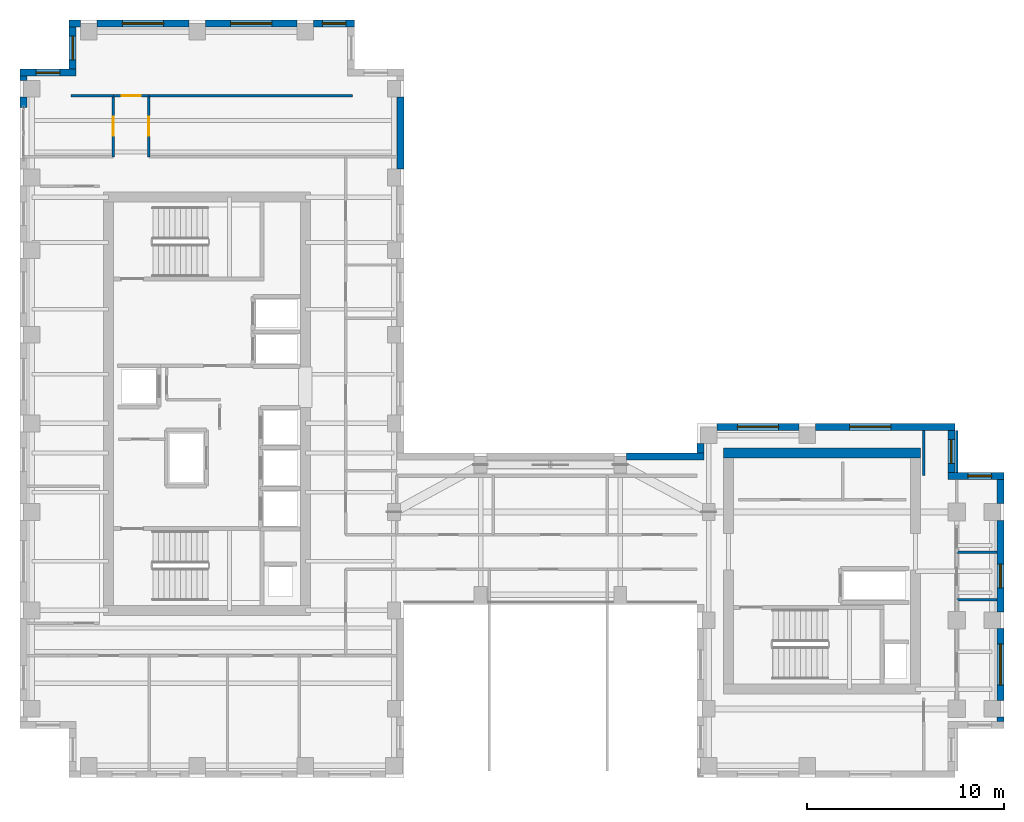
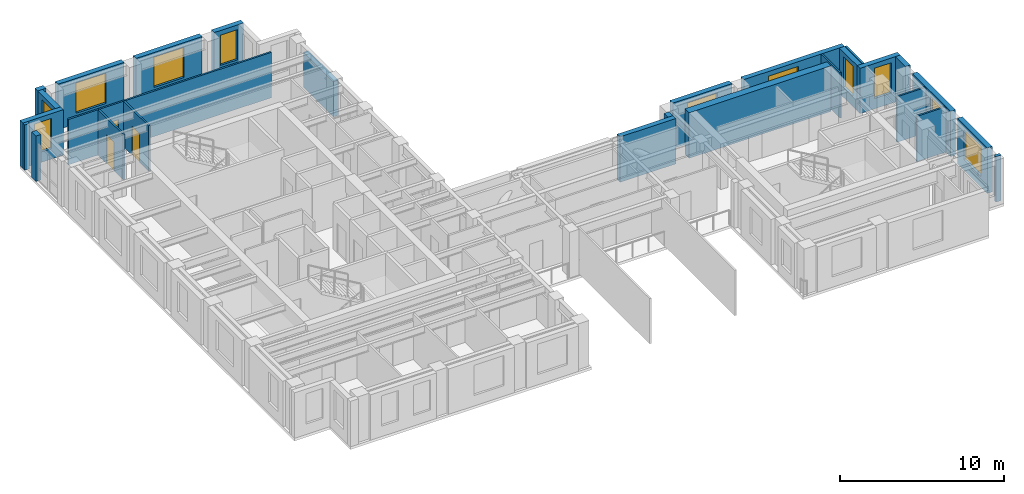
# One storey, part 10 of 14: 29 walls, 11 windows, 3 doors, 14 openings.
"""IFC4 building model written with IfcOpenShell, lengths in metres."""

import ifcopenshell
import ifcopenshell.guid

model = None  # the IFC model being written
_history = None  # IfcOwnerHistory: only IFC2X3 demands one
_inside = {}  # id of a spatial element -> (the spatial element, [elements in it])
_under = {}  # id of a project, library or spatial element -> (it, [spatial elements below it])
_declared = {}  # id of a project -> (the project, [libraries it declares])
_typed = {}  # id of a type object -> (the type object, [elements of that type])
_made_of = {}  # id of a material, layer set ... -> (it, [elements and type objects made of it])


def new_model(schema):
    """Start an empty IFC model of exactly this schema.

    Asked for "IFC4X3", IfcOpenShell would pick the latest addendum, in which some entities
    have other attributes; the version numbers below select the first issue.
    IFC2X3 requires an IfcOwnerHistory on every rooted entity: one is made here for all.
    """
    global model, _history
    if schema == "IFC4X3":
        model = ifcopenshell.file(schema_version=(4, 3, 0, 0))
    else:
        model = ifcopenshell.file(schema=schema)
    _inside.clear()
    _under.clear()
    _declared.clear()
    _typed.clear()
    _made_of.clear()
    _history = None
    if model.schema == "IFC2X3":
        org = make("IfcOrganization", Name="unknown")
        user = make(
            "IfcPersonAndOrganization",
            ThePerson=make("IfcPerson", FamilyName="unknown"),
            TheOrganization=org,
        )
        app = make(
            "IfcApplication",
            ApplicationDeveloper=org,
            Version="unknown",
            ApplicationFullName="unknown",
            ApplicationIdentifier="unknown",
        )
        _history = make(
            "IfcOwnerHistory",
            OwningUser=user,
            OwningApplication=app,
            ChangeAction="ADDED",
            CreationDate=0,
        )
    return model


def make(cls, **values):
    """One entity of the class cls with the attributes given. An attribute that is None is left unset."""
    return model.create_entity(
        cls, **{name: value for name, value in values.items() if value is not None}
    )


def rooted(cls, **values):
    """An entity with a GlobalId (a new one), such as an element, a storey or a relation."""
    return make(cls, GlobalId=ifcopenshell.guid.new(), OwnerHistory=_history, **values)


def si_unit(unit_type, name, prefix=None):
    """IfcSIUnit, for example si_unit("LENGTHUNIT", "METRE", prefix="MILLI")."""
    return make("IfcSIUnit", UnitType=unit_type, Prefix=prefix, Name=name)


def assignment(units):
    """IfcUnitAssignment: the units of a project."""
    return None if units is None else make("IfcUnitAssignment", Units=units)


def point(xyz):
    """IfcCartesianPoint."""
    return None if xyz is None else make("IfcCartesianPoint", Coordinates=xyz)


def direction(xyz):
    """IfcDirection."""
    return None if xyz is None else make("IfcDirection", DirectionRatios=xyz)


def frame(location, z_axis=None, x_axis=None):
    """IfcAxis2Placement3D, a coordinate frame: its origin and axes. An axis left out is left unset."""
    return make(
        "IfcAxis2Placement3D",
        Location=point(location),
        Axis=direction(z_axis),
        RefDirection=direction(x_axis),
    )


def frame_2d(location, x_axis=None):
    """IfcAxis2Placement2D, a coordinate frame in the plane: its origin and x axis."""
    return make(
        "IfcAxis2Placement2D", Location=point(location), RefDirection=direction(x_axis)
    )


def origin():
    """The frame at (0, 0, 0) with its axes left unset."""
    return frame((0.0, 0.0, 0.0))


def place(relative_to, where):
    """IfcLocalPlacement: puts the frame where relative to a parent placement (None: the world)."""
    return make(
        "IfcLocalPlacement", PlacementRelTo=relative_to, RelativePlacement=where
    )


def context(
    kind, dimensions, precision=None, world=None, true_north=None, identifier=None
):
    """IfcGeometricRepresentationContext, for example the 3D "Model" context."""
    return make(
        "IfcGeometricRepresentationContext",
        ContextIdentifier=identifier,
        ContextType=kind,
        CoordinateSpaceDimension=dimensions,
        Precision=precision,
        WorldCoordinateSystem=world,
        TrueNorth=true_north,
    )


def subcontext(parent, identifier, kind, view, scale=None):
    """IfcGeometricRepresentationSubContext, for example "Body" below "Model"."""
    return make(
        "IfcGeometricRepresentationSubContext",
        ContextIdentifier=identifier,
        ContextType=kind,
        ParentContext=parent,
        TargetScale=scale,
        TargetView=view,
    )


def project(units=None, contexts=None):
    """IfcProject with its units and contexts."""
    return rooted(
        "IfcProject",
        Name="project",
        RepresentationContexts=contexts,
        UnitsInContext=assignment(units),
    )


def spatial(cls, under=None, at=None, **own):
    """A site, building, storey or space (cls), placed at a placement, below another one or the project."""
    s = rooted(cls, ObjectPlacement=at, **own)
    if under is not None:
        _under.setdefault(under.id(), (under, []))[1].append(s)
    return s


def profile(cls, at=None, kind="AREA", **sizes):
    """A parametric profile (cls). Its sizes go by their IFC names, for example OverallWidth=200.0."""
    return make(cls, ProfileType=kind, Position=at, **sizes)


def rectangle(**sizes):
    """IfcRectangleProfileDef."""
    return profile("IfcRectangleProfileDef", **sizes)


def extrude(swept, where, along, depth):
    """IfcExtrudedAreaSolid: the profile swept, set in the frame where, extruded along a direction by depth."""
    return make(
        "IfcExtrudedAreaSolid",
        SweptArea=swept,
        Position=where,
        ExtrudedDirection=direction(along),
        Depth=depth,
    )


def shape(context_of_items, identifier, shape_type, items):
    """IfcShapeRepresentation: the items that make up one representation, for example the "Body"."""
    return make(
        "IfcShapeRepresentation",
        ContextOfItems=context_of_items,
        RepresentationIdentifier=identifier,
        RepresentationType=shape_type,
        Items=items,
    )


def source(mapping_origin, context_of_items, identifier, shape_type, items):
    """IfcRepresentationMap: a shape defined once, which mapped items show again and again."""
    return make(
        "IfcRepresentationMap",
        MappingOrigin=mapping_origin,
        MappedRepresentation=shape(context_of_items, identifier, shape_type, items),
    )


def transform(
    local_origin,
    x_axis=None,
    y_axis=None,
    z_axis=None,
    scale=None,
    scale2=None,
    scale3=None,
    uniform=True,
):
    """IfcCartesianTransformationOperator3D, or its non-uniform kind. x_axis, y_axis, z_axis: its Axis1, 2, 3."""
    if uniform:
        return make(
            "IfcCartesianTransformationOperator3D",
            Axis1=direction(x_axis),
            Axis2=direction(y_axis),
            LocalOrigin=point(local_origin),
            Scale=scale,
            Axis3=direction(z_axis),
        )
    return make(
        "IfcCartesianTransformationOperator3DnonUniform",
        Axis1=direction(x_axis),
        Axis2=direction(y_axis),
        LocalOrigin=point(local_origin),
        Scale=scale,
        Axis3=direction(z_axis),
        Scale2=scale2,
        Scale3=scale3,
    )


def mapped(mapping_source, mapping_target):
    """IfcMappedItem: shows the shape of a source again, moved by a transform."""
    return make(
        "IfcMappedItem", MappingSource=mapping_source, MappingTarget=mapping_target
    )


def material(Name=None, Category=None):
    """IfcMaterial."""
    return make("IfcMaterial", Name=Name, Category=Category)


def layer(
    of_material, thickness, ventilated=None, Name=None, Category=None, Priority=None
):
    """IfcMaterialLayer: one layer of a wall or slab, of a material (None: an air gap)."""
    return make(
        "IfcMaterialLayer",
        Material=of_material,
        LayerThickness=thickness,
        IsVentilated=ventilated,
        Name=Name,
        Category=Category,
        Priority=Priority,
    )


def layer_set(layers, Name=None):
    """IfcMaterialLayerSet."""
    return make("IfcMaterialLayerSet", MaterialLayers=layers, LayerSetName=Name)


def made_of(thing, what):
    """Note that an element or type object is made of a material, layer set ...; save() writes the relation."""
    if what is not None:
        _made_of.setdefault(what.id(), (what, []))[1].append(thing)
    return thing


def type_object(cls, material=None, **own):
    """A type object (cls), such as IfcWallType, which elements share."""
    return made_of(rooted(cls, **own), material)


def element(
    cls,
    number,
    at=None,
    inside=None,
    cuts=None,
    type_object=None,
    material=None,
    context=None,
    identifier="Body",
    shape_type=None,
    held_by="IfcProductDefinitionShape",
    body=None,
    shapes=None,
    **own,
):
    """One element of the class cls, such as IfcWall. Its Tag is "e" and its number.

    at: its placement. inside: the storey or other place that contains it. cuts: it is an
    opening in that element (IfcRelVoidsElement). A single representation is given by context,
    identifier, shape_type and body (its items); several are given by shapes. held_by: the class
    of the entity that holds the representations. save() writes the other relations.
    """
    e = rooted(cls, Tag="e%d" % number, ObjectPlacement=at, **own)
    if body is not None:
        shapes = [shape(context, identifier, shape_type, body)]
    if shapes is not None:
        e.Representation = make(held_by, Representations=shapes)
    if inside is not None:
        _inside.setdefault(inside.id(), (inside, []))[1].append(e)
    if cuts is not None:
        rooted(
            "IfcRelVoidsElement", RelatingBuildingElement=cuts, RelatedOpeningElement=e
        )
    if type_object is not None:
        _typed.setdefault(type_object.id(), (type_object, []))[1].append(e)
    return made_of(e, material)


def fill(opening, filler):
    """IfcRelFillsElement: the door or window that sits in an opening."""
    return rooted(
        "IfcRelFillsElement",
        RelatingOpeningElement=opening,
        RelatedBuildingElement=filler,
    )


def aggregate(whole, parts):
    """IfcRelAggregates: a whole, such as a stair, and the parts it consists of."""
    return rooted("IfcRelAggregates", RelatingObject=whole, RelatedObjects=parts)


def save(model, path):
    """Write the relations noted so far, then the file.

    IfcRelAggregates (storeys below a building ...), IfcRelContainedInSpatialStructure (elements
    in a storey), IfcRelDefinesByType, IfcRelAssociatesMaterial and IfcRelDeclares: one each for
    every whole, place, type object, material and project.
    """
    for whole, parts in _under.values():
        aggregate(whole, parts)
    for where, things in _inside.values():
        rooted(
            "IfcRelContainedInSpatialStructure",
            RelatedElements=things,
            RelatingStructure=where,
        )
    for kind, things in _typed.values():
        rooted("IfcRelDefinesByType", RelatedObjects=things, RelatingType=kind)
    for what, things in _made_of.values():
        rooted("IfcRelAssociatesMaterial", RelatedObjects=things, RelatingMaterial=what)
    for by, libraries in _declared.values():
        rooted("IfcRelDeclares", RelatingContext=by, RelatedDefinitions=libraries)
    model.write(path)


model = new_model("IFC4")

# Units and contexts
model_context = context("Model", 3, precision=1e-05, world=origin(), true_north=direction((0.0, 1.0)))
body_context = subcontext(model_context, "Body", "Model", "MODEL_VIEW")
ifc_project = project(units=[si_unit("LENGTHUNIT", "METRE"), si_unit("AREAUNIT", "SQUARE_METRE"), si_unit("VOLUMEUNIT", "CUBIC_METRE"), si_unit("PLANEANGLEUNIT", "RADIAN"), si_unit("MASSUNIT", "GRAM", prefix="KILO")], contexts=[model_context])

# Site, building, storey
site_placement = place(None, origin())
site = spatial("IfcSite", under=ifc_project, at=site_placement, CompositionType="ELEMENT")
building_placement = place(site_placement, origin())
building = spatial("IfcBuilding", under=site, at=building_placement, Name="Kharzan Plaza Tower", CompositionType="ELEMENT")
storey_placement = place(building_placement, frame((0.0, 0.0, 241.199951171875)))
storey = spatial("IfcBuildingStorey", under=building, at=storey_placement, Name="L65", CompositionType="ELEMENT", Elevation=241.199951171875)

# Wall, opening, window
ifc_material_1 = material(Name="Concrete C40/50", Category="concrete")
ifc_layer_1 = layer(ifc_material_1, 0.35009765625)
ifc_layer_set_1 = layer_set([ifc_layer_1], Name="Concrete C40/50")
wall_type_1 = type_object("IfcWallType", Name="WL-EXT-MAS-Z4", PredefinedType="SOLIDWALL", material=ifc_layer_set_1)
wall_1_placement = place(storey_placement, frame((17.0, 38.324951171875, 0.0), z_axis=(0.0, 0.0, 1.0), x_axis=(-1.0, 0.0, 0.0)))
wall_1 = element("IfcWall", 1, at=wall_1_placement, inside=storey, type_object=wall_type_1, Name="L65 Masonry-Frame Exterior Wall 09", PredefinedType="SOLIDWALL", context=body_context, shape_type="SweptSolid", body=[
    extrude(rectangle(XDim=2.076904296875, YDim=0.35009765625, at=frame_2d((1.03857421875, 0.0))), origin(), (0.0, 0.0, 1.0), 3.385009765625),
])
opening_1_placement = place(wall_1_placement, frame((0.4384765625, 0.0, 0.780029296875)))
opening_1 = element("IfcOpeningElement", 2, at=opening_1_placement, cuts=wall_1, Name="Opening W3", PredefinedType="OPENING", context=body_context, shape_type="SweptSolid", body=[
    extrude(rectangle(XDim=1.199951171875, YDim=2.25, at=frame_2d((0.60009765625, 1.125))), frame((0.0, 0.18505859375, 0.0), z_axis=(0.0, -1.0, 0.0), x_axis=(1.0, 0.0, 0.0)), (0.0, 0.0, 1.0), 0.3701171875),
])
ifc_material_2 = material(Name="Low-E Double Glazing", Category="glass")
window_type_1 = type_object("IfcWindowType", Name="WN-REC-1200x2100", PartitioningType="SINGLE_PANEL", PredefinedType="WINDOW", material=ifc_material_2)
shared_shape_1 = source(origin(), body_context, "Body", "SweptSolid", [
    extrude(rectangle(XDim=1.199951171875, YDim=2.25, at=frame_2d((0.60009765625, 1.125))), frame((0.0, 0.030029296875, 0.0), z_axis=(0.0, -1.0, 0.0), x_axis=(1.0, 0.0, 0.0)), (0.0, 0.0, 1.0), 0.06005859375),
])
window_1_placement = place(opening_1_placement, origin())
window_1 = element("IfcWindow", 3, at=window_1_placement, inside=storey, type_object=window_type_1, Name="L65 Recessed Solar-Control Window 09-1", OverallHeight=2.25, OverallWidth=1.199951171875, PartitioningType="SINGLE_PANEL", PredefinedType="WINDOW", context=body_context, shape_type="MappedRepresentation", body=[
    mapped(shared_shape_1, transform((0.0, 0.0, 0.0), x_axis=(1.0, 0.0, 0.0), y_axis=(0.0, 1.0, 0.0), z_axis=(0.0, 0.0, 1.0))),
])
fill(opening_1, window_1)

wall_2_placement = place(storey_placement, frame((14.076904296875, 38.324951171875, 0.0), z_axis=(0.0, 0.0, 1.0), x_axis=(-1.0, 0.0, 0.0)))
wall_2 = element("IfcWall", 4, at=wall_2_placement, inside=storey, type_object=wall_type_1, Name="L65 Masonry-Frame Exterior Wall 10", PredefinedType="SOLIDWALL", context=body_context, shape_type="SweptSolid", body=[
    extrude(rectangle(XDim=4.65380859375, YDim=0.35009765625, at=frame_2d((2.326904296875, 0.0))), origin(), (0.0, 0.0, 1.0), 3.385009765625),
])
opening_2_placement = place(wall_2_placement, frame((1.277099609375, 0.0, 0.780029296875)))
opening_2 = element("IfcOpeningElement", 5, at=opening_2_placement, cuts=wall_2, Name="Opening W6", PredefinedType="OPENING", context=body_context, shape_type="SweptSolid", body=[
    extrude(rectangle(XDim=2.10009765625, YDim=2.25, at=frame_2d((1.050048828125, 1.125))), frame((0.0, 0.18505859375, 0.0), z_axis=(0.0, -1.0, 0.0), x_axis=(1.0, 0.0, 0.0)), (0.0, 0.0, 1.0), 0.3701171875),
])
window_type_2 = type_object("IfcWindowType", Name="WN-EXEC-2100x2250", PartitioningType="SINGLE_PANEL", PredefinedType="WINDOW", material=ifc_material_2)
shared_shape_2 = source(origin(), body_context, "Body", "SweptSolid", [
    extrude(rectangle(XDim=2.10009765625, YDim=2.25, at=frame_2d((1.050048828125, 1.125))), frame((0.0, 0.030029296875, 0.0), z_axis=(0.0, -1.0, 0.0), x_axis=(1.0, 0.0, 0.0)), (0.0, 0.0, 1.0), 0.06005859375),
])
window_2_placement = place(opening_2_placement, origin())
window_2 = element("IfcWindow", 6, at=window_2_placement, inside=storey, type_object=window_type_2, Name="L65 Recessed Solar-Control Window 10-1", OverallHeight=2.25, OverallWidth=2.10009765625, PartitioningType="SINGLE_PANEL", PredefinedType="WINDOW", context=body_context, shape_type="MappedRepresentation", body=[
    mapped(shared_shape_2, transform((0.0, 0.0, 0.0), x_axis=(1.0, 0.0, 0.0), y_axis=(0.0, 1.0, 0.0), z_axis=(0.0, 0.0, 1.0))),
])
fill(opening_2, window_2)

wall_3_placement = place(storey_placement, frame((8.576904296875, 38.324951171875, 0.0), z_axis=(0.0, 0.0, 1.0), x_axis=(-1.0, 0.0, 0.0)))
wall_3 = element("IfcWall", 7, at=wall_3_placement, inside=storey, type_object=wall_type_1, Name="L65 Masonry-Frame Exterior Wall 11", PredefinedType="SOLIDWALL", context=body_context, shape_type="SweptSolid", body=[
    extrude(rectangle(XDim=4.65380859375, YDim=0.35009765625, at=frame_2d((2.326904296875, 0.0))), origin(), (0.0, 0.0, 1.0), 3.385009765625),
])
opening_3_placement = place(wall_3_placement, frame((1.277099609375, 0.0, 0.780029296875)))
opening_3 = element("IfcOpeningElement", 8, at=opening_3_placement, cuts=wall_3, Name="Opening W6", PredefinedType="OPENING", context=body_context, shape_type="SweptSolid", body=[
    extrude(rectangle(XDim=2.10009765625, YDim=2.25, at=frame_2d((1.050048828125, 1.125))), frame((0.0, 0.18505859375, 0.0), z_axis=(0.0, -1.0, 0.0), x_axis=(1.0, 0.0, 0.0)), (0.0, 0.0, 1.0), 0.3701171875),
])
window_3_placement = place(opening_3_placement, origin())
window_3 = element("IfcWindow", 9, at=window_3_placement, inside=storey, type_object=window_type_2, Name="L65 Recessed Solar-Control Window 11-1", OverallHeight=2.25, OverallWidth=2.10009765625, PartitioningType="SINGLE_PANEL", PredefinedType="WINDOW", context=body_context, shape_type="MappedRepresentation", body=[
    mapped(shared_shape_2, transform((0.0, 0.0, 0.0), x_axis=(1.0, 0.0, 0.0), y_axis=(0.0, 1.0, 0.0), z_axis=(0.0, 0.0, 1.0))),
])
fill(opening_3, window_3)

wall_4_placement = place(storey_placement, frame((2.675048828125, 38.152099609375, 0.0), z_axis=(0.0, 0.0, 1.0), x_axis=(0.0, -1.0, 0.0)))
wall_4 = element("IfcWall", 10, at=wall_4_placement, inside=storey, type_object=wall_type_1, Name="L65 Masonry-Frame Exterior Wall 13", PredefinedType="SOLIDWALL", context=body_context, shape_type="SweptSolid", body=[
    extrude(rectangle(XDim=2.154052734375, YDim=0.35009765625, at=frame_2d((1.0771484375, 0.0))), origin(), (0.0, 0.0, 1.0), 3.385009765625),
])
opening_4_placement = place(wall_4_placement, frame((0.47705078125, 0.0, 0.780029296875)))
opening_4 = element("IfcOpeningElement", 11, at=opening_4_placement, cuts=wall_4, Name="Opening W3", PredefinedType="OPENING", context=body_context, shape_type="SweptSolid", body=[
    extrude(rectangle(XDim=1.199951171875, YDim=2.25, at=frame_2d((0.60009765625, 1.125))), frame((0.0, 0.18505859375, 0.0), z_axis=(0.0, -1.0, 0.0), x_axis=(1.0, 0.0, 0.0)), (0.0, 0.0, 1.0), 0.3701171875),
])
window_4_placement = place(opening_4_placement, origin())
window_4 = element("IfcWindow", 12, at=window_4_placement, inside=storey, type_object=window_type_1, Name="L65 Recessed Solar-Control Window 13-1", OverallHeight=2.25, OverallWidth=1.199951171875, PartitioningType="SINGLE_PANEL", PredefinedType="WINDOW", context=body_context, shape_type="MappedRepresentation", body=[
    mapped(shared_shape_1, transform((0.0, 0.0, 0.0), x_axis=(1.0, 0.0, 0.0), y_axis=(0.0, 1.0, 0.0), z_axis=(0.0, 0.0, 1.0))),
])
fill(opening_4, window_4)

wall_5_placement = place(storey_placement, frame((2.85009765625, 35.824951171875, 0.0), z_axis=(0.0, 0.0, 1.0), x_axis=(-1.0, 0.0, 0.0)))
wall_5 = element("IfcWall", 13, at=wall_5_placement, inside=storey, type_object=wall_type_1, Name="L65 Masonry-Frame Exterior Wall 14", PredefinedType="SOLIDWALL", context=body_context, shape_type="SweptSolid", body=[
    extrude(rectangle(XDim=2.85009765625, YDim=0.35009765625, at=frame_2d((1.425048828125, 0.0))), origin(), (0.0, 0.0, 1.0), 3.385009765625),
])
opening_5_placement = place(wall_5_placement, frame((0.824951171875, 0.0, 0.780029296875)))
opening_5 = element("IfcOpeningElement", 14, at=opening_5_placement, cuts=wall_5, Name="Opening W3", PredefinedType="OPENING", context=body_context, shape_type="SweptSolid", body=[
    extrude(rectangle(XDim=1.199951171875, YDim=2.25, at=frame_2d((0.60009765625, 1.125))), frame((0.0, 0.18505859375, 0.0), z_axis=(0.0, -1.0, 0.0), x_axis=(1.0, 0.0, 0.0)), (0.0, 0.0, 1.0), 0.3701171875),
])
window_5_placement = place(opening_5_placement, origin())
window_5 = element("IfcWindow", 15, at=window_5_placement, inside=storey, type_object=window_type_1, Name="L65 Recessed Solar-Control Window 14-1", OverallHeight=2.25, OverallWidth=1.199951171875, PartitioningType="SINGLE_PANEL", PredefinedType="WINDOW", context=body_context, shape_type="MappedRepresentation", body=[
    mapped(shared_shape_1, transform((0.0, 0.0, 0.0), x_axis=(1.0, 0.0, 0.0), y_axis=(0.0, 1.0, 0.0), z_axis=(0.0, 0.0, 1.0))),
])
fill(opening_5, window_5)

wall_6_placement = place(storey_placement, frame((49.824951171875, 3.923095703125, 0.0), z_axis=(0.0, 0.0, 1.0), x_axis=(0.0, 1.0, 0.0)))
wall_6 = element("IfcWall", 16, at=wall_6_placement, inside=storey, type_object=wall_type_1, Name="L65 Masonry-Frame Exterior Wall 41", PredefinedType="SOLIDWALL", context=body_context, shape_type="SweptSolid", body=[
    extrude(rectangle(XDim=3.65380859375, YDim=0.35009765625, at=frame_2d((1.826904296875, 0.0))), origin(), (0.0, 0.0, 1.0), 3.385009765625),
])
opening_6_placement = place(wall_6_placement, frame((0.777099609375, 0.0, 0.780029296875)))
opening_6 = element("IfcOpeningElement", 17, at=opening_6_placement, cuts=wall_6, Name="Opening W6", PredefinedType="OPENING", context=body_context, shape_type="SweptSolid", body=[
    extrude(rectangle(XDim=2.10009765625, YDim=2.25, at=frame_2d((1.050048828125, 1.125))), frame((0.0, 0.18505859375, 0.0), z_axis=(0.0, -1.0, 0.0), x_axis=(1.0, 0.0, 0.0)), (0.0, 0.0, 1.0), 0.3701171875),
])
window_6_placement = place(opening_6_placement, origin())
window_6 = element("IfcWindow", 18, at=window_6_placement, inside=storey, type_object=window_type_2, Name="L65 Recessed Solar-Control Window 41-1", OverallHeight=2.25, OverallWidth=2.10009765625, PartitioningType="SINGLE_PANEL", PredefinedType="WINDOW", context=body_context, shape_type="MappedRepresentation", body=[
    mapped(shared_shape_2, transform((0.0, 0.0, 0.0), x_axis=(1.0, 0.0, 0.0), y_axis=(0.0, 1.0, 0.0), z_axis=(0.0, 0.0, 1.0))),
])
fill(opening_6, window_6)

wall_7_placement = place(storey_placement, frame((49.824951171875, 8.423095703125, 0.0), z_axis=(0.0, 0.0, 1.0), x_axis=(0.0, 1.0, 0.0)))
wall_7 = element("IfcWall", 19, at=wall_7_placement, inside=storey, type_object=wall_type_1, Name="L65 Masonry-Frame Exterior Wall 42", PredefinedType="SOLIDWALL", context=body_context, shape_type="SweptSolid", body=[
    extrude(rectangle(XDim=4.65380859375, YDim=0.35009765625, at=frame_2d((2.326904296875, 0.0))), origin(), (0.0, 0.0, 1.0), 3.385009765625),
])
opening_7_placement = place(wall_7_placement, frame((1.22705078125, 0.0, 0.780029296875)))
opening_7 = element("IfcOpeningElement", 20, at=opening_7_placement, cuts=wall_7, Name="Opening W3", PredefinedType="OPENING", context=body_context, shape_type="SweptSolid", body=[
    extrude(rectangle(XDim=1.199951171875, YDim=2.25, at=frame_2d((0.60009765625, 1.125))), frame((0.0, 0.18505859375, 0.0), z_axis=(0.0, -1.0, 0.0), x_axis=(1.0, 0.0, 0.0)), (0.0, 0.0, 1.0), 0.3701171875),
])
window_7_placement = place(opening_7_placement, origin())
window_7 = element("IfcWindow", 21, at=window_7_placement, inside=storey, type_object=window_type_1, Name="L65 Recessed Solar-Control Window 42-1", OverallHeight=2.25, OverallWidth=1.199951171875, PartitioningType="SINGLE_PANEL", PredefinedType="WINDOW", context=body_context, shape_type="MappedRepresentation", body=[
    mapped(shared_shape_1, transform((0.0, 0.0, 0.0), x_axis=(1.0, 0.0, 0.0), y_axis=(0.0, 1.0, 0.0), z_axis=(0.0, 0.0, 1.0))),
])
fill(opening_7, window_7)

wall_8_placement = place(storey_placement, frame((50.0, 15.324951171875, 0.0), z_axis=(0.0, 0.0, 1.0), x_axis=(-1.0, 0.0, 0.0)))
wall_8 = element("IfcWall", 22, at=wall_8_placement, inside=storey, type_object=wall_type_1, Name="L65 Masonry-Frame Exterior Wall 44", PredefinedType="SOLIDWALL", context=body_context, shape_type="SweptSolid", body=[
    extrude(rectangle(XDim=2.85009765625, YDim=0.35009765625, at=frame_2d((1.425048828125, 0.0))), origin(), (0.0, 0.0, 1.0), 3.385009765625),
])
opening_8_placement = place(wall_8_placement, frame((0.635009765625, 0.0, 0.780029296875)))
opening_8 = element("IfcOpeningElement", 23, at=opening_8_placement, cuts=wall_8, Name="Opening W3", PredefinedType="OPENING", context=body_context, shape_type="SweptSolid", body=[
    extrude(rectangle(XDim=1.199951171875, YDim=2.25, at=frame_2d((0.60009765625, 1.125))), frame((0.0, 0.18505859375, 0.0), z_axis=(0.0, -1.0, 0.0), x_axis=(1.0, 0.0, 0.0)), (0.0, 0.0, 1.0), 0.3701171875),
])
window_8_placement = place(opening_8_placement, origin())
window_8 = element("IfcWindow", 24, at=window_8_placement, inside=storey, type_object=window_type_1, Name="L65 Recessed Solar-Control Window 44-1", OverallHeight=2.25, OverallWidth=1.199951171875, PartitioningType="SINGLE_PANEL", PredefinedType="WINDOW", context=body_context, shape_type="MappedRepresentation", body=[
    mapped(shared_shape_1, transform((0.0, 0.0, 0.0), x_axis=(1.0, 0.0, 0.0), y_axis=(0.0, 1.0, 0.0), z_axis=(0.0, 0.0, 1.0))),
])
fill(opening_8, window_8)

wall_9_placement = place(storey_placement, frame((47.324951171875, 15.498046875, 0.0), z_axis=(0.0, 0.0, 1.0), x_axis=(0.0, 1.0, 0.0)))
wall_9 = element("IfcWall", 25, at=wall_9_placement, inside=storey, type_object=wall_type_1, Name="L65 Masonry-Frame Exterior Wall 45", PredefinedType="SOLIDWALL", context=body_context, shape_type="SweptSolid", body=[
    extrude(rectangle(XDim=2.154052734375, YDim=0.35009765625, at=frame_2d((1.0771484375, 0.0))), origin(), (0.0, 0.0, 1.0), 3.385009765625),
])
opening_9_placement = place(wall_9_placement, frame((0.47705078125, 0.0, 0.780029296875)))
opening_9 = element("IfcOpeningElement", 26, at=opening_9_placement, cuts=wall_9, Name="Opening W3", PredefinedType="OPENING", context=body_context, shape_type="SweptSolid", body=[
    extrude(rectangle(XDim=1.199951171875, YDim=2.25, at=frame_2d((0.60009765625, 1.125))), frame((0.0, 0.18505859375, 0.0), z_axis=(0.0, -1.0, 0.0), x_axis=(1.0, 0.0, 0.0)), (0.0, 0.0, 1.0), 0.3701171875),
])
window_9_placement = place(opening_9_placement, origin())
window_9 = element("IfcWindow", 27, at=window_9_placement, inside=storey, type_object=window_type_1, Name="L65 Recessed Solar-Control Window 45-1", OverallHeight=2.25, OverallWidth=1.199951171875, PartitioningType="SINGLE_PANEL", PredefinedType="WINDOW", context=body_context, shape_type="MappedRepresentation", body=[
    mapped(shared_shape_1, transform((0.0, 0.0, 0.0), x_axis=(1.0, 0.0, 0.0), y_axis=(0.0, 1.0, 0.0), z_axis=(0.0, 0.0, 1.0))),
])
fill(opening_9, window_9)

wall_10_placement = place(storey_placement, frame((47.5, 17.824951171875, 0.0), z_axis=(0.0, 0.0, 1.0), x_axis=(-1.0, 0.0, 0.0)))
wall_10 = element("IfcWall", 28, at=wall_10_placement, inside=storey, type_object=wall_type_1, Name="L65 Masonry-Frame Exterior Wall 46", PredefinedType="SOLIDWALL", context=body_context, shape_type="SweptSolid", body=[
    extrude(rectangle(XDim=7.076904296875, YDim=0.35009765625, at=frame_2d((3.53857421875, 0.0))), origin(), (0.0, 0.0, 1.0), 3.385009765625),
])
opening_10_placement = place(wall_10_placement, frame((3.243408203125, 0.0, 0.780029296875)))
opening_10 = element("IfcOpeningElement", 29, at=opening_10_placement, cuts=wall_10, Name="Opening W6", PredefinedType="OPENING", context=body_context, shape_type="SweptSolid", body=[
    extrude(rectangle(XDim=2.10009765625, YDim=2.25, at=frame_2d((1.050048828125, 1.125))), frame((0.0, 0.18505859375, 0.0), z_axis=(0.0, -1.0, 0.0), x_axis=(1.0, 0.0, 0.0)), (0.0, 0.0, 1.0), 0.3701171875),
])
window_10_placement = place(opening_10_placement, origin())
window_10 = element("IfcWindow", 30, at=window_10_placement, inside=storey, type_object=window_type_2, Name="L65 Recessed Solar-Control Window 46-1", OverallHeight=2.25, OverallWidth=2.10009765625, PartitioningType="SINGLE_PANEL", PredefinedType="WINDOW", context=body_context, shape_type="MappedRepresentation", body=[
    mapped(shared_shape_2, transform((0.0, 0.0, 0.0), x_axis=(1.0, 0.0, 0.0), y_axis=(0.0, 1.0, 0.0), z_axis=(0.0, 0.0, 1.0))),
])
fill(opening_10, window_10)

wall_11_placement = place(storey_placement, frame((39.576904296875, 17.824951171875, 0.0), z_axis=(0.0, 0.0, 1.0), x_axis=(-1.0, 0.0, 0.0)))
wall_11 = element("IfcWall", 31, at=wall_11_placement, inside=storey, type_object=wall_type_1, Name="L65 Masonry-Frame Exterior Wall 47", PredefinedType="SOLIDWALL", context=body_context, shape_type="SweptSolid", body=[
    extrude(rectangle(XDim=4.15380859375, YDim=0.35009765625, at=frame_2d((2.076904296875, 0.0))), origin(), (0.0, 0.0, 1.0), 3.385009765625),
])
opening_11_placement = place(wall_11_placement, frame((1.027099609375, 0.0, 0.780029296875)))
opening_11 = element("IfcOpeningElement", 32, at=opening_11_placement, cuts=wall_11, Name="Opening W6", PredefinedType="OPENING", context=body_context, shape_type="SweptSolid", body=[
    extrude(rectangle(XDim=2.10009765625, YDim=2.25, at=frame_2d((1.050048828125, 1.125))), frame((0.0, 0.18505859375, 0.0), z_axis=(0.0, -1.0, 0.0), x_axis=(1.0, 0.0, 0.0)), (0.0, 0.0, 1.0), 0.3701171875),
])
window_11_placement = place(opening_11_placement, origin())
window_11 = element("IfcWindow", 33, at=window_11_placement, inside=storey, type_object=window_type_2, Name="L65 Recessed Solar-Control Window 47-1", OverallHeight=2.25, OverallWidth=2.10009765625, PartitioningType="SINGLE_PANEL", PredefinedType="WINDOW", context=body_context, shape_type="MappedRepresentation", body=[
    mapped(shared_shape_2, transform((0.0, 0.0, 0.0), x_axis=(1.0, 0.0, 0.0), y_axis=(0.0, 1.0, 0.0), z_axis=(0.0, 0.0, 1.0))),
])
fill(opening_11, window_11)

# Wall, opening, door
ifc_material_3 = material(Name="Fire-Rated Gypsum Board Partition", Category="gypsum")
ifc_layer_2 = layer(ifc_material_3, 0.125)
ifc_layer_set_2 = layer_set([ifc_layer_2], Name="Fire-Rated Gypsum Board Partition")
wall_type_2 = type_object("IfcWallType", Name="WL-INT-PART-125", PredefinedType="PARTITIONING", material=ifc_layer_set_2)
wall_12_placement = place(storey_placement, frame((6.550048828125, 31.550048828125, 0.0), z_axis=(0.0, 0.0, 1.0), x_axis=(0.0, 1.0, 0.0)))
wall_12 = element("IfcWall", 34, at=wall_12_placement, inside=storey, type_object=wall_type_2, Name="L65 Interior Partition SH-SPE-1", PredefinedType="PARTITIONING", context=body_context, shape_type="SweptSolid", body=[
    extrude(rectangle(XDim=3.099853515625, YDim=0.125, at=frame_2d((1.5498046875, 0.0))), origin(), (0.0, 0.0, 1.0), 3.385009765625),
])
opening_12_placement = place(wall_12_placement, frame((1.074951171875, 0.0, 0.0)))
opening_12 = element("IfcOpeningElement", 35, at=opening_12_placement, cuts=wall_12, Name="Opening OD1", PredefinedType="OPENING", context=body_context, shape_type="SweptSolid", body=[
    extrude(rectangle(XDim=0.949951171875, YDim=2.14990234375, at=frame_2d((0.47509765625, 1.074951171875))), frame((0.0, 0.072509765625, 0.0), z_axis=(0.0, -1.0, 0.0), x_axis=(1.0, 0.0, 0.0)), (0.0, 0.0, 1.0), 0.14501953125),
])
ifc_material_4 = material(Name="Acoustic Solid-Core Stained Oak", Category="timber")
door_type = type_object("IfcDoorType", Name="DR-OFF-SINGLE", OperationType="NOTDEFINED", PredefinedType="DOOR", material=ifc_material_4)
shared_shape_3 = source(origin(), body_context, "Body", "SweptSolid", [
    extrude(rectangle(XDim=0.949951171875, YDim=2.14990234375, at=frame_2d((0.47509765625, 1.074951171875))), frame((0.0, 0.02490234375, 0.0), z_axis=(0.0, -1.0, 0.0), x_axis=(1.0, 0.0, 0.0)), (0.0, 0.0, 1.0), 0.050048828125),
])
door_1_placement = place(opening_12_placement, origin())
door_1 = element("IfcDoor", 36, at=door_1_placement, inside=storey, type_object=door_type, Name="L65 Cartography Drafting Studio Door", OperationType="SINGLE_SWING_LEFT", OverallHeight=2.14990234375, OverallWidth=0.949951171875, PredefinedType="DOOR", context=body_context, shape_type="MappedRepresentation", body=[
    mapped(shared_shape_3, transform((0.0, 0.0, 0.0), x_axis=(1.0, 0.0, 0.0), y_axis=(0.0, 1.0, 0.0), z_axis=(0.0, 0.0, 1.0))),
])
fill(opening_12, door_1)

wall_13_placement = place(storey_placement, frame((4.75, 34.64990234375, 0.0), z_axis=(0.0, 0.0, 1.0), x_axis=(1.0, 0.0, 0.0)))
wall_13 = element("IfcWall", 37, at=wall_13_placement, inside=storey, type_object=wall_type_2, Name="L65 Interior Partition SH-SPHD", PredefinedType="PARTITIONING", context=body_context, shape_type="SweptSolid", body=[
    extrude(rectangle(XDim=1.800048828125, YDim=0.125, at=frame_2d((0.89990234375, 0.0))), origin(), (0.0, 0.0, 1.0), 3.385009765625),
])
opening_13_placement = place(wall_13_placement, frame((0.425048828125, 0.0, 0.0)))
opening_13 = element("IfcOpeningElement", 38, at=opening_13_placement, cuts=wall_13, Name="Opening OD1", PredefinedType="OPENING", context=body_context, shape_type="SweptSolid", body=[
    extrude(rectangle(XDim=0.949951171875, YDim=2.14990234375, at=frame_2d((0.47509765625, 1.074951171875))), frame((0.0, 0.072509765625, 0.0), z_axis=(0.0, -1.0, 0.0), x_axis=(1.0, 0.0, 0.0)), (0.0, 0.0, 1.0), 0.14501953125),
])
door_2_placement = place(opening_13_placement, origin())
door_2 = element("IfcDoor", 39, at=door_2_placement, inside=storey, type_object=door_type, Name="L65 North Boardroom Door", OperationType="SINGLE_SWING_RIGHT", OverallHeight=2.14990234375, OverallWidth=0.949951171875, PredefinedType="DOOR", context=body_context, shape_type="MappedRepresentation", body=[
    mapped(shared_shape_3, transform((0.0, 0.0, 0.0), x_axis=(1.0, 0.0, 0.0), y_axis=(0.0, 1.0, 0.0), z_axis=(0.0, 0.0, 1.0))),
])
fill(opening_13, door_2)

wall_14_placement = place(storey_placement, frame((4.75, 31.550048828125, 0.0), z_axis=(0.0, 0.0, 1.0), x_axis=(0.0, 1.0, 0.0)))
wall_14 = element("IfcWall", 40, at=wall_14_placement, inside=storey, type_object=wall_type_2, Name="L65 Interior Partition SH-SPW-1", PredefinedType="PARTITIONING", context=body_context, shape_type="SweptSolid", body=[
    extrude(rectangle(XDim=3.099853515625, YDim=0.125, at=frame_2d((1.5498046875, 0.0))), origin(), (0.0, 0.0, 1.0), 3.385009765625),
])
opening_14_placement = place(wall_14_placement, frame((1.074951171875, 0.0, 0.0)))
opening_14 = element("IfcOpeningElement", 41, at=opening_14_placement, cuts=wall_14, Name="Opening OD1", PredefinedType="OPENING", context=body_context, shape_type="SweptSolid", body=[
    extrude(rectangle(XDim=0.949951171875, YDim=2.14990234375, at=frame_2d((0.47509765625, 1.074951171875))), frame((0.0, 0.072509765625, 0.0), z_axis=(0.0, -1.0, 0.0), x_axis=(1.0, 0.0, 0.0)), (0.0, 0.0, 1.0), 0.14501953125),
])
door_3_placement = place(opening_14_placement, origin())
door_3 = element("IfcDoor", 42, at=door_3_placement, inside=storey, type_object=door_type, Name="L65 Architectural Design Studio Door", OperationType="SINGLE_SWING_RIGHT", OverallHeight=2.14990234375, OverallWidth=0.949951171875, PredefinedType="DOOR", context=body_context, shape_type="MappedRepresentation", body=[
    mapped(shared_shape_3, transform((0.0, 0.0, 0.0), x_axis=(1.0, 0.0, 0.0), y_axis=(0.0, 1.0, 0.0), z_axis=(0.0, 0.0, 1.0))),
])
fill(opening_14, door_3)

# Walls
shared_shape_4 = source(origin(), body_context, "Body", "SweptSolid", [
    extrude(rectangle(XDim=2.2978515625, YDim=0.125, at=frame_2d((1.14892578125, 0.0))), origin(), (0.0, 0.0, 1.0), 3.385009765625),
])
wall_15_placement = place(storey_placement, frame((45.919921875, 15.35009765625, 0.0), z_axis=(0.0, 0.0, 1.0), x_axis=(0.0, 1.0, 0.0)))
element("IfcWall", 43, at=wall_15_placement, inside=storey, type_object=wall_type_2, Name="L65 Interior Partition SH-RBNE0", PredefinedType="PARTITIONING", context=body_context, shape_type="MappedRepresentation", body=[
    mapped(shared_shape_4, transform((0.0, 0.0, 0.0), x_axis=(1.0, 0.0, 0.0), y_axis=(0.0, 1.0, 0.0), z_axis=(0.0, 0.0, 1.0))),
])
ifc_material_5 = material(Name="Concrete C50/60", Category="concrete")
ifc_layer_3 = layer(ifc_material_5, 0.5)
ifc_layer_set_3 = layer_set([ifc_layer_3], Name="Concrete C50/60")
wall_type_3 = type_object("IfcWallType", Name="WL-CORE-500", PredefinedType="SHEAR", material=ifc_layer_set_3)
shared_shape_5 = source(origin(), body_context, "Body", "SweptSolid", [
    extrude(rectangle(XDim=10.0, YDim=0.5, at=frame_2d((5.0, 0.0))), origin(), (0.0, 0.0, 1.0), 3.400146484375),
])
wall_16_placement = place(storey_placement, frame((35.75, 16.5, 0.0), z_axis=(0.0, 0.0, 1.0), x_axis=(1.0, 0.0, 0.0)))
element("IfcWall", 44, at=wall_16_placement, inside=storey, type_object=wall_type_3, Name="L65 CORE-B north RC shear wall", PredefinedType="SHEAR", context=body_context, shape_type="MappedRepresentation", body=[
    mapped(shared_shape_5, transform((0.0, 0.0, 0.0), x_axis=(1.0, 0.0, 0.0), y_axis=(0.0, 1.0, 0.0), z_axis=(0.0, 0.0, 1.0))),
])
shared_shape_6 = source(origin(), body_context, "Body", "SweptSolid", [
    extrude(rectangle(XDim=0.576904296875, YDim=0.35009765625, at=frame_2d((0.28857421875, 0.0))), origin(), (0.0, 0.0, 1.0), 3.385009765625),
])
wall_17_placement = place(storey_placement, frame((3.076904296875, 38.324951171875, 0.0), z_axis=(0.0, 0.0, 1.0), x_axis=(-1.0, 0.0, 0.0)))
element("IfcWall", 45, at=wall_17_placement, inside=storey, type_object=wall_type_1, Name="L65 Masonry-Frame Exterior Wall 12", PredefinedType="SOLIDWALL", context=body_context, shape_type="MappedRepresentation", body=[
    mapped(shared_shape_6, transform((0.0, 0.0, 0.0), x_axis=(1.0, 0.0, 0.0), y_axis=(0.0, 1.0, 0.0), z_axis=(0.0, 0.0, 1.0))),
])
shared_shape_7 = source(origin(), body_context, "Body", "SweptSolid", [
    extrude(rectangle(XDim=0.22900390625, YDim=0.35009765625, at=frame_2d((0.114501953125, 0.0))), origin(), (0.0, 0.0, 1.0), 3.385009765625),
])
for number, where, z_axis, x_axis, name in (
    (46, (0.175048828125, 35.652099609375, 0.0), (0.0, 0.0, 1.0), (0.0, -1.0, 0.0), "L65 Masonry-Frame Exterior Wall 15"),
    (47, (49.824951171875, 2.847900390625, 0.0), (0.0, 0.0, 1.0), (0.0, 1.0, 0.0), "L65 Masonry-Frame Exterior Wall 40"),
):
    element("IfcWall", number, at=place(storey_placement, frame(where, z_axis=z_axis, x_axis=x_axis)), inside=storey, type_object=wall_type_1, Name=name, PredefinedType="SOLIDWALL", context=body_context, shape_type="MappedRepresentation", body=[
        mapped(shared_shape_7, transform((0.0, 0.0, 0.0), x_axis=(1.0, 0.0, 0.0), y_axis=(0.0, 1.0, 0.0), z_axis=(0.0, 0.0, 1.0))),
    ])
shared_shape_8 = source(origin(), body_context, "Body", "SweptSolid", [
    extrude(rectangle(XDim=0.52685546875, YDim=0.35009765625, at=frame_2d((0.263427734375, 0.0))), origin(), (0.0, 0.0, 1.0), 3.385009765625),
])
wall_18_placement = place(storey_placement, frame((0.175048828125, 34.576904296875, 0.0), z_axis=(0.0, 0.0, 1.0), x_axis=(0.0, -1.0, 0.0)))
element("IfcWall", 48, at=wall_18_placement, inside=storey, type_object=wall_type_1, Name="L65 Masonry-Frame Exterior Wall 16", PredefinedType="SOLIDWALL", context=body_context, shape_type="MappedRepresentation", body=[
    mapped(shared_shape_8, transform((0.0, 0.0, 0.0), x_axis=(1.0, 0.0, 0.0), y_axis=(0.0, 1.0, 0.0), z_axis=(0.0, 0.0, 1.0))),
])
shared_shape_9 = source(origin(), body_context, "Body", "SweptSolid", [
    extrude(rectangle(XDim=1.22900390625, YDim=0.35009765625, at=frame_2d((0.614501953125, 0.0))), origin(), (0.0, 0.0, 1.0), 3.385009765625),
])
wall_19_placement = place(storey_placement, frame((49.824951171875, 13.923095703125, 0.0), z_axis=(0.0, 0.0, 1.0), x_axis=(0.0, 1.0, 0.0)))
element("IfcWall", 49, at=wall_19_placement, inside=storey, type_object=wall_type_1, Name="L65 Masonry-Frame Exterior Wall 43", PredefinedType="SOLIDWALL", context=body_context, shape_type="MappedRepresentation", body=[
    mapped(shared_shape_9, transform((0.0, 0.0, 0.0), x_axis=(1.0, 0.0, 0.0), y_axis=(0.0, 1.0, 0.0), z_axis=(0.0, 0.0, 1.0))),
])
shared_shape_10 = source(origin(), body_context, "Body", "SweptSolid", [
    extrude(rectangle(XDim=3.65380859375, YDim=0.35009765625, at=frame_2d((1.826904296875, 0.0))), origin(), (0.0, 0.0, 1.0), 2.619140625),
])
wall_20_placement = place(storey_placement, frame((19.324951171875, 30.923095703125, 0.0), z_axis=(0.0, 0.0, 1.0), x_axis=(0.0, 1.0, 0.0)))
element("IfcWall", 50, at=wall_20_placement, inside=storey, type_object=wall_type_1, Name="L65 Masonry-Frame Exterior Wall 05", PredefinedType="SOLIDWALL", context=body_context, shape_type="MappedRepresentation", body=[
    mapped(shared_shape_10, transform((0.0, 0.0, 0.0), x_axis=(1.0, 0.0, 0.0), y_axis=(0.0, 1.0, 0.0), z_axis=(0.0, 0.0, 1.0))),
])
shared_shape_11 = source(origin(), body_context, "Body", "SweptSolid", [
    extrude(rectangle(XDim=2.0478515625, YDim=0.125, at=frame_2d((1.02392578125, 0.0))), origin(), (0.0, 0.0, 1.0), 3.385009765625),
])
for number, where, z_axis, x_axis, name in (
    (51, (47.60009765625, 11.449951171875, 0.0), (0.0, 0.0, 1.0), (1.0, 0.0, 0.0), "L65 Interior Partition SH-B1H-118"),
    (52, (47.60009765625, 9.050048828125, 0.0), (0.0, 0.0, 1.0), (1.0, 0.0, 0.0), "L65 Interior Partition SH-B1H-90"),
):
    element("IfcWall", number, at=place(storey_placement, frame(where, z_axis=z_axis, x_axis=x_axis)), inside=storey, type_object=wall_type_2, Name=name, PredefinedType="PARTITIONING", context=body_context, shape_type="MappedRepresentation", body=[
        mapped(shared_shape_11, transform((0.0, 0.0, 0.0), x_axis=(1.0, 0.0, 0.0), y_axis=(0.0, 1.0, 0.0), z_axis=(0.0, 0.0, 1.0))),
    ])
shared_shape_12 = source(origin(), body_context, "Body", "SweptSolid", [
    extrude(rectangle(XDim=2.14794921875, YDim=0.125, at=frame_2d((1.073974609375, 0.0))), origin(), (0.0, 0.0, 1.0), 3.385009765625),
])
wall_21_placement = place(storey_placement, frame((47.60009765625, 15.501953125, 0.0), z_axis=(0.0, 0.0, 1.0), x_axis=(0.0, 1.0, 0.0)))
element("IfcWall", 53, at=wall_21_placement, inside=storey, type_object=wall_type_2, Name="L65 Interior Partition SH-B1W1N-S2", PredefinedType="PARTITIONING", context=body_context, shape_type="MappedRepresentation", body=[
    mapped(shared_shape_12, transform((0.0, 0.0, 0.0), x_axis=(1.0, 0.0, 0.0), y_axis=(0.0, 1.0, 0.0), z_axis=(0.0, 0.0, 1.0))),
])
shared_shape_13 = source(origin(), body_context, "Body", "SweptSolid", [
    extrude(rectangle(XDim=0.47900390625, YDim=0.35009765625, at=frame_2d((0.239501953125, 0.0))), origin(), (0.0, 0.0, 1.0), 3.385009765625),
])
wall_22_placement = place(storey_placement, frame((34.574951171875, 16.97705078125, 0.0), z_axis=(0.0, 0.0, 1.0), x_axis=(0.0, -1.0, 0.0)))
element("IfcWall", 54, at=wall_22_placement, inside=storey, type_object=wall_type_1, Name="L65 Masonry-Frame Exterior Wall 48", PredefinedType="SOLIDWALL", context=body_context, shape_type="MappedRepresentation", body=[
    mapped(shared_shape_13, transform((0.0, 0.0, 0.0), x_axis=(1.0, 0.0, 0.0), y_axis=(0.0, 1.0, 0.0), z_axis=(0.0, 0.0, 1.0))),
])
shared_shape_14 = source(origin(), body_context, "Body", "SweptSolid", [
    extrude(rectangle(XDim=3.927001953125, YDim=0.35009765625, at=frame_2d((1.96337890625, 0.0))), origin(), (0.0, 0.0, 1.0), 3.385009765625),
])
wall_23_placement = place(storey_placement, frame((34.75, 16.324951171875, 0.0), z_axis=(0.0, 0.0, 1.0), x_axis=(-1.0, 0.0, 0.0)))
element("IfcWall", 55, at=wall_23_placement, inside=storey, type_object=wall_type_1, Name="L65 Masonry-Frame Exterior Wall 49", PredefinedType="SOLIDWALL", context=body_context, shape_type="MappedRepresentation", body=[
    mapped(shared_shape_14, transform((0.0, 0.0, 0.0), x_axis=(1.0, 0.0, 0.0), y_axis=(0.0, 1.0, 0.0), z_axis=(0.0, 0.0, 1.0))),
])
shared_shape_15 = source(origin(), body_context, "Body", "SweptSolid", [
    extrude(rectangle(XDim=10.349853515625, YDim=0.125, at=frame_2d((5.1748046875, 0.0))), origin(), (0.0, 0.0, 1.0), 3.385009765625),
])
wall_24_placement = place(storey_placement, frame((6.550048828125, 34.64990234375, 0.0), z_axis=(0.0, 0.0, 1.0), x_axis=(1.0, 0.0, 0.0)))
element("IfcWall", 56, at=wall_24_placement, inside=storey, type_object=wall_type_2, Name="L65 Interior Partition SH-SPHE", PredefinedType="PARTITIONING", context=body_context, shape_type="MappedRepresentation", body=[
    mapped(shared_shape_15, transform((0.0, 0.0, 0.0), x_axis=(1.0, 0.0, 0.0), y_axis=(0.0, 1.0, 0.0), z_axis=(0.0, 0.0, 1.0))),
])
shared_shape_16 = source(origin(), body_context, "Body", "SweptSolid", [
    extrude(rectangle(XDim=2.14990234375, YDim=0.125, at=frame_2d((1.074951171875, 0.0))), origin(), (0.0, 0.0, 1.0), 3.385009765625),
])
wall_25_placement = place(storey_placement, frame((2.60009765625, 34.64990234375, 0.0), z_axis=(0.0, 0.0, 1.0), x_axis=(1.0, 0.0, 0.0)))
element("IfcWall", 57, at=wall_25_placement, inside=storey, type_object=wall_type_2, Name="L65 Interior Partition SH-SPHW", PredefinedType="PARTITIONING", context=body_context, shape_type="MappedRepresentation", body=[
    mapped(shared_shape_16, transform((0.0, 0.0, 0.0), x_axis=(1.0, 0.0, 0.0), y_axis=(0.0, 1.0, 0.0), z_axis=(0.0, 0.0, 1.0))),
])

save(model, "model.ifc")
